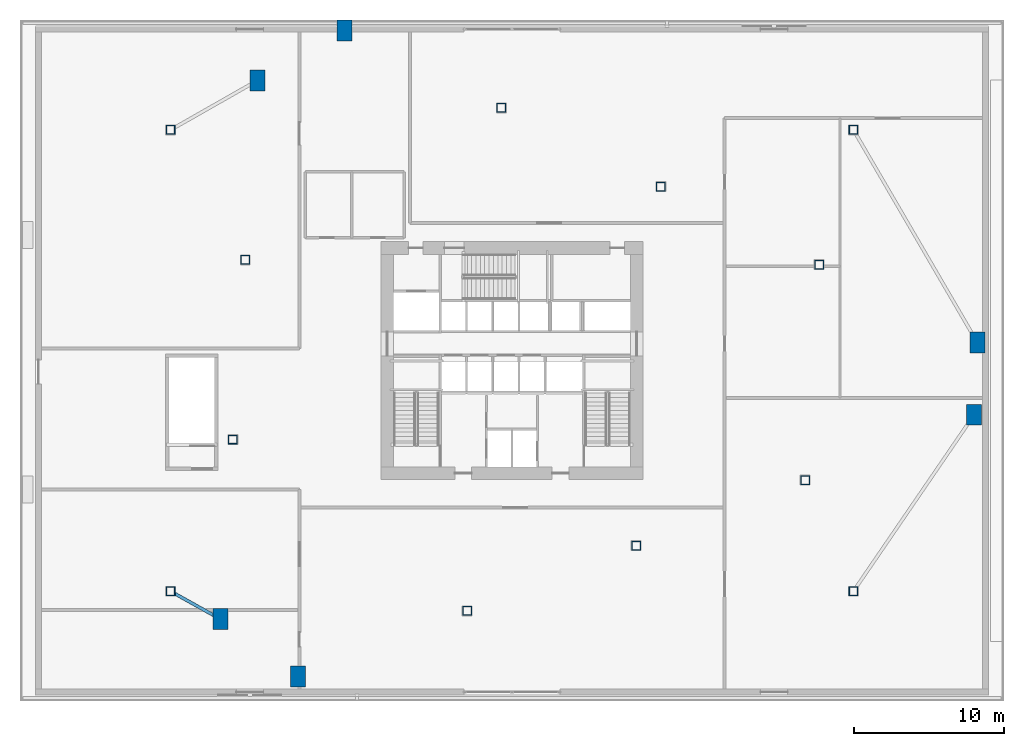
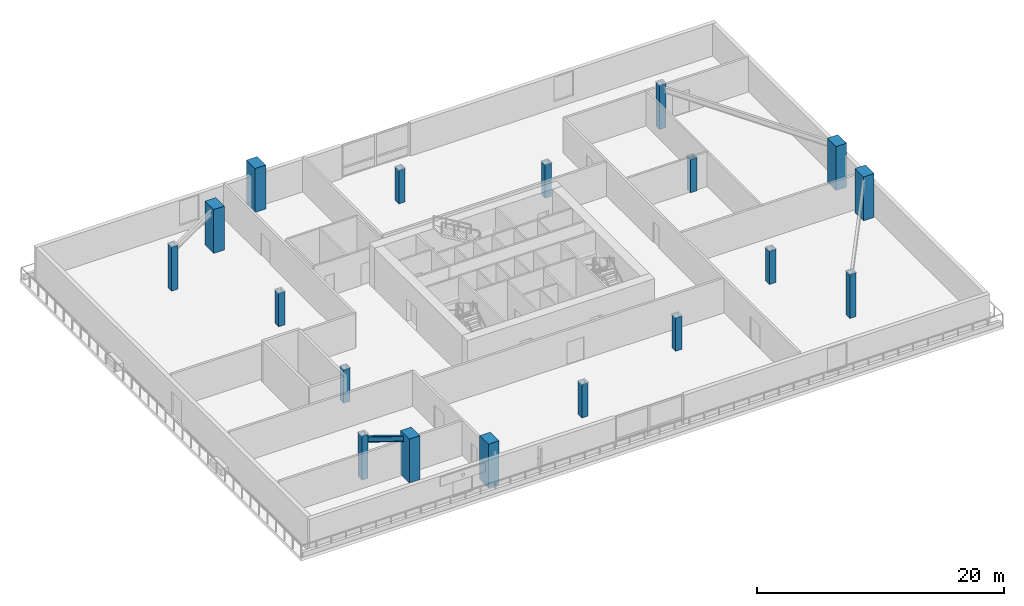
# One storey, part 1 of 16: 18 columns, 1 beam.
"""IFC4 building model written with IfcOpenShell, lengths in metres."""

from ifc_helpers import new_model, si_unit, direction, frame, origin, origin_2d, place, context, subcontext, project, spatial, rectangle, hollow_rectangle, i_section, extrude, source, transform, mapped, material, material_profile, profile_set, type_object, element, save


model = new_model("IFC4")

# Units and contexts
model_context = context("Model", 3, precision=1e-05, world=origin(), true_north=direction((0.0, 1.0)))
body_context = subcontext(model_context, "Body", "Model", "MODEL_VIEW")
ifc_project = project(units=[si_unit("LENGTHUNIT", "METRE"), si_unit("AREAUNIT", "SQUARE_METRE"), si_unit("VOLUMEUNIT", "CUBIC_METRE"), si_unit("PLANEANGLEUNIT", "RADIAN"), si_unit("MASSUNIT", "GRAM", prefix="KILO")], contexts=[model_context])

# Site, building, storey
site_placement = place(None, origin())
site = spatial("IfcSite", under=ifc_project, at=site_placement, CompositionType="ELEMENT")
building_placement = place(site_placement, origin())
building = spatial("IfcBuilding", under=site, at=building_placement, Name="Olszyna Solenne Hotel", CompositionType="ELEMENT")
storey_placement = place(building_placement, frame((0.0, 0.0, 20.10009765625)))
storey = spatial("IfcBuildingStorey", under=building, at=storey_placement, Name="L04", CompositionType="ELEMENT", Elevation=20.10009765625)

# Columns
ifc_material_1 = material(Name="Concrete C60/75", Category="concrete")
ifc_material_profile_1 = material_profile(ifc_material_1, rectangle(XDim=1.0, YDim=1.39990234375, at=origin_2d()), Name="RC 1400x1000", Category="load-bearing")
ifc_profile_set_1 = profile_set([ifc_material_profile_1], Name="Concrete C60/75")
column_type_1 = type_object("IfcColumnType", Name="COL-P1", PredefinedType="COLUMN", material=ifc_profile_set_1)
shared_shape_1 = source(origin(), body_context, "Body", "SweptSolid", [
    extrude(rectangle(XDim=1.0, YDim=1.39990234375, at=origin_2d()), origin(), (0.0, 0.0, 1.0), 4.3349609375),
])
for number, where, z_axis, x_axis, name in (
    (1, (68.858154296875, 22.984619140625, 0.0), (0.0, 0.0, 1.0), (1.0, 0.0, 0.0), "Podium mega-column COL-P1 C-L04-P1-01"),
    (2, (69.072509765625, 27.802978515625, 0.0), (0.0, 0.0, 1.0), (1.0, 0.0, 0.0), "Podium mega-column COL-P1 C-L04-P1-02"),
    (3, (26.808837890625, 48.6416015625, 0.0), (0.0, 0.0, 1.0), (1.0, 0.0, 0.0), "Podium mega-column COL-P1 C-L04-P1-03"),
    (4, (21.014404296875, 45.309326171875, 0.0), (0.0, 0.0, 1.0), (1.0, 0.0, 0.0), "Podium mega-column COL-P1 C-L04-P1-04"),
    (5, (18.53173828125, 9.34130859375, 0.0), (0.0, 0.0, 1.0), (1.0, 0.0, 0.0), "Podium mega-column COL-P1 C-L04-P1-05"),
    (6, (23.71435546875, 5.520263671875, 0.0), (0.0, 0.0, 1.0), (1.0, 0.0, 0.0), "Podium mega-column COL-P1 C-L04-P1-06"),
):
    element("IfcColumn", number, at=place(storey_placement, frame(where, z_axis=z_axis, x_axis=x_axis)), inside=storey, type_object=column_type_1, Name=name, PredefinedType="COLUMN", context=body_context, shape_type="MappedRepresentation", body=[
        mapped(shared_shape_1, transform((0.0, 0.0, 0.0), x_axis=(1.0, 0.0, 0.0), y_axis=(0.0, 1.0, 0.0), z_axis=(0.0, 0.0, 1.0), scale=1.0)),
    ])
ifc_material_2 = material(Name="Steel S460M", Category="steel")
ifc_material_profile_2 = material_profile(ifc_material_2, hollow_rectangle(XDim=0.60009765625, YDim=0.60009765625, WallThickness=0.034912109375, at=origin_2d()), Name="SHS 600x600x35", Category="load-bearing")
ifc_profile_set_2 = profile_set([ifc_material_profile_2], Name="Steel S460M")
column_type_2 = type_object("IfcColumnType", Name="COL-P2", PredefinedType="COLUMN", material=ifc_profile_set_2)
shared_shape_2 = source(origin(), body_context, "Body", "SweptSolid", [
    extrude(hollow_rectangle(XDim=0.60009765625, YDim=0.60009765625, WallThickness=0.034912109375, at=origin_2d()), origin(), (0.0, 0.0, 1.0), 4.3349609375),
])
for number, where, z_axis, x_axis, name in (
    (7, (15.199951171875, 11.199951171875, 0.0), (0.0, 0.0, 1.0), (1.0, 0.0, 0.0), "Podium mega-column COL-P2 C-L04-P2-01"),
    (8, (15.199951171875, 42.0, 0.0), (0.0, 0.0, 1.0), (1.0, 0.0, 0.0), "Podium mega-column COL-P2 C-L04-P2-02"),
    (9, (60.800048828125, 11.199951171875, 0.0), (0.0, 0.0, 1.0), (1.0, 0.0, 0.0), "Podium mega-column COL-P2 C-L04-P2-03"),
    (10, (60.800048828125, 42.0, 0.0), (0.0, 0.0, 1.0), (1.0, 0.0, 0.0), "Podium mega-column COL-P2 C-L04-P2-04"),
):
    element("IfcColumn", number, at=place(storey_placement, frame(where, z_axis=z_axis, x_axis=x_axis)), inside=storey, type_object=column_type_2, Name=name, PredefinedType="COLUMN", context=body_context, shape_type="MappedRepresentation", body=[
        mapped(shared_shape_2, transform((0.0, 0.0, 0.0), x_axis=(1.0, 0.0, 0.0), y_axis=(0.0, 1.0, 0.0), z_axis=(0.0, 0.0, 1.0), scale=1.0)),
    ])
shared_shape_3 = source(origin(), body_context, "Body", "SweptSolid", [
    extrude(hollow_rectangle(XDim=0.60009765625, YDim=0.60009765625, WallThickness=0.034912109375, at=origin_2d()), origin(), (0.0, 0.0, 1.0), 3.27978515625),
])
for number, where, z_axis, x_axis, name in (
    (11, (58.506591796875, 33.0126953125, 0.0), (0.0, 0.0, 1.0), (1.0, 0.0, 0.0), "Podium transfer-support column COL-P2 C-L04-TG-01"),
    (12, (47.94091796875, 38.222412109375, 0.0), (0.0, 0.0, 1.0), (1.0, 0.0, 0.0), "Podium transfer-support column COL-P2 C-L04-TG-02"),
    (13, (37.287109375, 43.47509765625, 0.0), (0.0, 0.0, 1.0), (1.0, 0.0, 0.0), "Podium transfer-support column COL-P2 C-L04-TG-03"),
    (14, (20.186767578125, 33.320068359375, 0.0), (0.0, 0.0, 1.0), (1.0, 0.0, 0.0), "Podium transfer-support column COL-P2 C-L04-TG-04"),
    (15, (19.359375, 21.33056640625, 0.0), (0.0, 0.0, 1.0), (1.0, 0.0, 0.0), "Podium transfer-support column COL-P2 C-L04-TG-05"),
    (16, (35.000244140625, 9.88623046875, 0.0), (0.0, 0.0, 1.0), (1.0, 0.0, 0.0), "Podium transfer-support column COL-P2 C-L04-TG-06"),
    (17, (46.2861328125, 14.25244140625, 0.0), (0.0, 0.0, 1.0), (1.0, 0.0, 0.0), "Podium transfer-support column COL-P2 C-L04-TG-07"),
    (18, (57.572265625, 18.618408203125, 0.0), (0.0, 0.0, 1.0), (1.0, 0.0, 0.0), "Podium transfer-support column COL-P2 C-L04-TG-08"),
):
    element("IfcColumn", number, at=place(storey_placement, frame(where, z_axis=z_axis, x_axis=x_axis)), inside=storey, type_object=column_type_2, Name=name, PredefinedType="COLUMN", context=body_context, shape_type="MappedRepresentation", body=[
        mapped(shared_shape_3, transform((0.0, 0.0, 0.0), x_axis=(1.0, 0.0, 0.0), y_axis=(0.0, 1.0, 0.0), z_axis=(0.0, 0.0, 1.0), scale=1.0)),
    ])

# Beam
ifc_material_3 = material(Name="Steel S355J2", Category="steel")
ifc_material_profile_3 = material_profile(ifc_material_3, i_section(OverallWidth=0.2099609375, OverallDepth=0.550048828125, WebThickness=0.010986328125, FlangeThickness=0.01708984375, at=origin_2d()), Name="IPE 550", Category="load-bearing")
ifc_profile_set_3 = profile_set([ifc_material_profile_3], Name="Steel S355J2")
beam_type = type_object("IfcBeamType", Name="BM-F2", PredefinedType="BEAM", material=ifc_profile_set_3)
shared_shape_4 = source(origin(), body_context, "Body", "SweptSolid", [
    extrude(i_section(OverallWidth=0.2099609375, OverallDepth=0.550048828125, WebThickness=0.010986328125, FlangeThickness=0.01708984375, at=origin_2d()), origin(), (0.0, 0.0, 1.0), 3.655029296875),
])
beam_placement = place(storey_placement, frame((15.27001953125, 11.160888671875, 3.804931640625), z_axis=(0.873286271012, -0.487207439251, 0.0), x_axis=(0.487207439251, 0.873286271012, 0.0)))
element("IfcBeam", 19, at=beam_placement, inside=storey, type_object=beam_type, Name="Podium terrace girder BM-F2 B-L04-0141", PredefinedType="BEAM", context=body_context, shape_type="MappedRepresentation", body=[
    mapped(shared_shape_4, transform((0.0, 0.0, 0.0), x_axis=(1.0, 0.0, 0.0), y_axis=(0.0, 1.0, 0.0), z_axis=(0.0, 0.0, 1.0), scale=1.0)),
])

save(model, "model.ifc")
